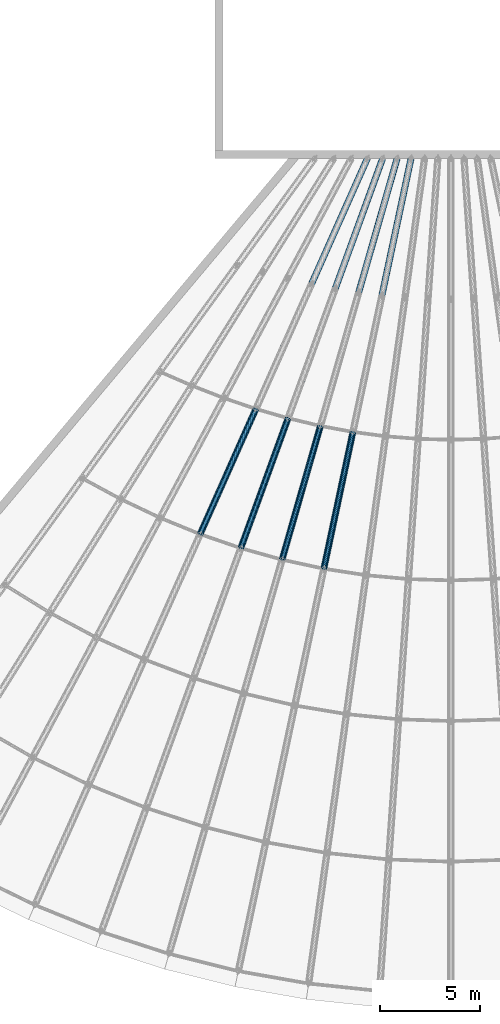
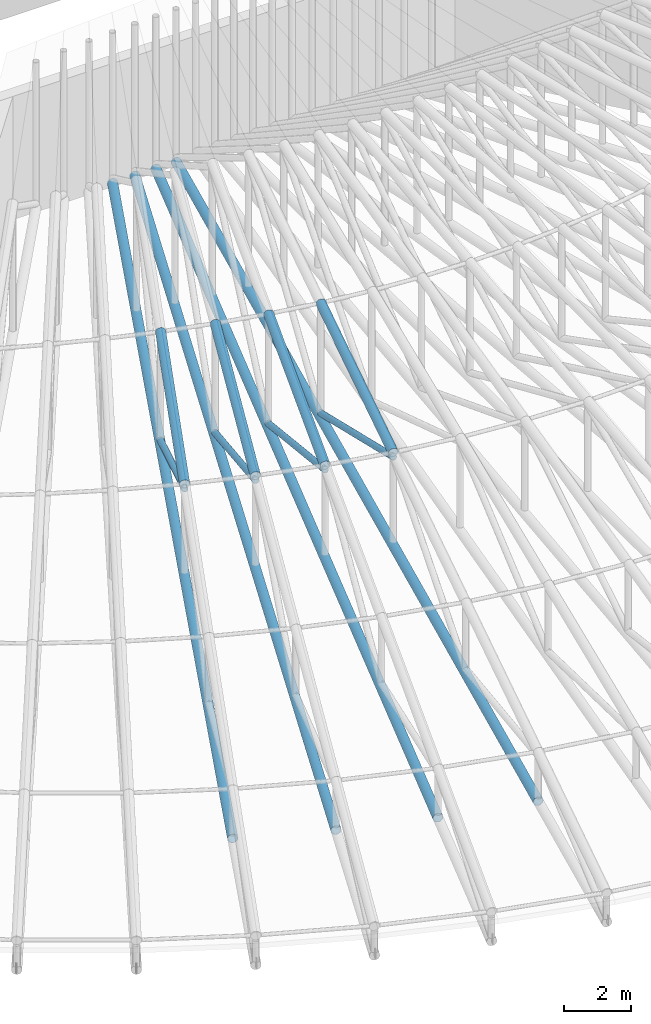
# One storey, part 31 of 163: 12 members.
"""IFC4 building model written with IfcOpenShell, lengths in metres."""

from ifc_helpers import new_model, si_unit, direction, frame, origin, origin_2d, place, context, subcontext, project, spatial, hollow_circle, extrude, material, material_profile, profile_set, type_object, element, save


model = new_model("IFC4")

# Units and contexts
model_context = context("Model", 3, precision=1e-05, world=origin(), true_north=direction((0.0, 1.0)))
body_context = subcontext(model_context, "Body", "Model", "MODEL_VIEW")
ifc_project = project(units=[si_unit("LENGTHUNIT", "METRE"), si_unit("AREAUNIT", "SQUARE_METRE"), si_unit("VOLUMEUNIT", "CUBIC_METRE"), si_unit("PLANEANGLEUNIT", "RADIAN"), si_unit("MASSUNIT", "GRAM", prefix="KILO")], contexts=[model_context])

# Site, building, storey
site_placement = place(None, origin())
site = spatial("IfcSite", under=ifc_project, at=site_placement, CompositionType="ELEMENT")
building_placement = place(site_placement, origin())
building = spatial("IfcBuilding", under=site, at=building_placement, Name="Rain Tree Exposition and Congress Centre", CompositionType="ELEMENT")
storey_placement = place(building_placement, frame((0.0, 0.0, 10.5)))
storey = spatial("IfcBuildingStorey", under=building, at=storey_placement, Name="L02", CompositionType="ELEMENT", Elevation=10.5)

# Members
ifc_material_1 = material(Name="Steel S355J2H", Category="steel")
ifc_material_profile_1 = material_profile(ifc_material_1, hollow_circle(Radius=0.108154296875, WallThickness=0.008056640625, at=origin_2d()), Name="CHS 216x8")
ifc_profile_set_1 = profile_set([ifc_material_profile_1], Name="Steel S355J2H")
member_type_1 = type_object("IfcMemberType", Name="Steel brace member CHS 216x8", PredefinedType="BRACE", material=ifc_profile_set_1)
member_1_placement = place(storey_placement, frame((189.04345703125, 38.99755859375, 3.35498046875), z_axis=(0.371977625984, 0.835453421073, -0.404537052672), x_axis=(-0.913541476776, 0.406745584131, 0.0)))
element("IfcMember", 1, at=member_1_placement, inside=storey, type_object=member_type_1, Name="TD4-4", PredefinedType="BRACE", context=body_context, shape_type="SweptSolid", body=[
    extrude(hollow_circle(Radius=0.108154296875, WallThickness=0.008056640625, at=origin_2d()), origin(), (0.0, 0.0, 1.0), 7.505859375),
])
member_2_placement = place(storey_placement, frame((191.08056640625, 38.2978515625, 3.367919921875), z_axis=(0.312976929359, 0.859944139343, -0.403164381982), x_axis=(-0.9396986404, 0.342003604118, 0.0)))
element("IfcMember", 2, at=member_2_placement, inside=storey, type_object=member_type_1, Name="TD5-4", PredefinedType="BRACE", context=body_context, shape_type="SweptSolid", body=[
    extrude(hollow_circle(Radius=0.108154296875, WallThickness=0.008056640625, at=origin_2d()), origin(), (0.0, 0.0, 1.0), 7.5634765625),
])
member_3_placement = place(storey_placement, frame((193.14697265625, 37.720703125, 3.3779296875), z_axis=(0.252376552036, 0.880125120055, -0.402101789391), x_axis=(-0.961260325696, 0.275642134374, 0.0)))
element("IfcMember", 3, at=member_3_placement, inside=storey, type_object=member_type_1, Name="TD6-4", PredefinedType="BRACE", context=body_context, shape_type="SweptSolid", body=[
    extrude(hollow_circle(Radius=0.108154296875, WallThickness=0.008056640625, at=origin_2d()), origin(), (0.0, 0.0, 1.0), 7.6083984375),
])
member_4_placement = place(storey_placement, frame((195.23779296875, 37.268798828125, 3.385498046875), z_axis=(0.190461609505, 0.895923488522, -0.401304719658), x_axis=(-0.978141562567, 0.207940096132, 0.0)))
element("IfcMember", 4, at=member_4_placement, inside=storey, type_object=member_type_1, Name="TD7-4", PredefinedType="BRACE", context=body_context, shape_type="SweptSolid", body=[
    extrude(hollow_circle(Radius=0.108154296875, WallThickness=0.008056640625, at=origin_2d()), origin(), (0.0, 0.0, 1.0), 7.642333984375),
])
ifc_material_2 = material(Name="Steel S355J2H", Category="steel")
ifc_material_profile_2 = material_profile(ifc_material_2, hollow_circle(Radius=0.1591796875, WallThickness=0.010009765625, at=origin_2d()), Name="CHS 318x10")
ifc_profile_set_2 = profile_set([ifc_material_profile_2], Name="Steel S355J2H")
member_type_2 = type_object("IfcMemberType", Name="Steel chord member CHS 318x10", PredefinedType="CHORD", material=ifc_profile_set_2)
member_5_placement = place(storey_placement, frame((183.45947265625, 26.455810546875, 0.1591796875), z_axis=(0.406734361251, 0.913546473573, 0.0), x_axis=(-0.913546473573, 0.406734361251, 0.0)))
element("IfcMember", 5, at=member_5_placement, inside=storey, type_object=member_type_2, Name="TC4-2", PredefinedType="CHORD", context=body_context, shape_type="SweptSolid", body=[
    extrude(hollow_circle(Radius=0.1591796875, WallThickness=0.010009765625, at=origin_2d()), origin(), (0.0, 0.0, 1.0), 34.321533203125),
])
member_6_placement = place(storey_placement, frame((189.04345703125, 38.99755859375, 3.51611328125), z_axis=(0.404197475358, 0.907818481513, 0.111758693344), x_axis=(-0.913541476776, 0.406745584131, 0.0)))
element("IfcMember", 6, at=member_6_placement, inside=storey, type_object=member_type_2, Name="TT4-4", PredefinedType="CHORD", context=body_context, shape_type="SweptSolid", body=[
    extrude(hollow_circle(Radius=0.1591796875, WallThickness=0.010009765625, at=origin_2d()), origin(), (0.0, 0.0, 1.0), 6.907470703125),
])
member_7_placement = place(storey_placement, frame((186.345947265625, 25.289794921875, 0.1591796875), z_axis=(0.342020597353, 0.939692455533, 0.0), x_axis=(-0.939692455533, 0.342020597353, 0.0)))
element("IfcMember", 7, at=member_7_placement, inside=storey, type_object=member_type_2, Name="TC5-2", PredefinedType="CHORD", context=body_context, shape_type="SweptSolid", body=[
    extrude(hollow_circle(Radius=0.1591796875, WallThickness=0.010009765625, at=origin_2d()), origin(), (0.0, 0.0, 1.0), 34.607421875),
])
member_8_placement = place(storey_placement, frame((191.08056640625, 38.2978515625, 3.52880859375), z_axis=(0.339858945896, 0.933805917659, 0.111814154023), x_axis=(-0.9396986404, 0.342003604118, 0.0)))
element("IfcMember", 8, at=member_8_placement, inside=storey, type_object=member_type_2, Name="TT5-4", PredefinedType="CHORD", context=body_context, shape_type="SweptSolid", body=[
    extrude(hollow_circle(Radius=0.1591796875, WallThickness=0.010009765625, at=origin_2d()), origin(), (0.0, 0.0, 1.0), 6.965087890625),
])
member_9_placement = place(storey_placement, frame((189.306640625, 24.32763671875, 0.1591796875), z_axis=(0.275634705683, 0.961262455848, 0.0), x_axis=(-0.961262455848, 0.275634705683, 0.0)))
element("IfcMember", 9, at=member_9_placement, inside=storey, type_object=member_type_2, Name="TC6-2", PredefinedType="CHORD", context=body_context, shape_type="SweptSolid", body=[
    extrude(hollow_circle(Radius=0.1591796875, WallThickness=0.010009765625, at=origin_2d()), origin(), (0.0, 0.0, 1.0), 34.831787109375),
])
member_10_placement = place(storey_placement, frame((193.14697265625, 37.720703125, 3.538818359375), z_axis=(0.273914225811, 0.955234505473, 0.111794617273), x_axis=(-0.961260325696, 0.275642134374, 0.0)))
element("IfcMember", 10, at=member_10_placement, inside=storey, type_object=member_type_2, Name="TT6-4", PredefinedType="CHORD", context=body_context, shape_type="SweptSolid", body=[
    extrude(hollow_circle(Radius=0.1591796875, WallThickness=0.010009765625, at=origin_2d()), origin(), (0.0, 0.0, 1.0), 7.010009765625),
])
member_11_placement = place(storey_placement, frame((192.3271484375, 23.57470703125, 0.1591796875), z_axis=(0.207909144531, 0.97814814196, 0.0), x_axis=(-0.97814814196, 0.207909144531, 0.0)))
element("IfcMember", 11, at=member_11_placement, inside=storey, type_object=member_type_2, Name="TC7-2", PredefinedType="CHORD", context=body_context, shape_type="SweptSolid", body=[
    extrude(hollow_circle(Radius=0.1591796875, WallThickness=0.010009765625, at=origin_2d()), origin(), (0.0, 0.0, 1.0), 35.000244140625),
])
member_12_placement = place(storey_placement, frame((195.23779296875, 37.268798828125, 3.54638671875), z_axis=(0.206636239815, 0.97200827669, 0.111809545395), x_axis=(-0.978141562567, 0.207940096132, 0.0)))
element("IfcMember", 12, at=member_12_placement, inside=storey, type_object=member_type_2, Name="TT7-4", PredefinedType="CHORD", context=body_context, shape_type="SweptSolid", body=[
    extrude(hollow_circle(Radius=0.1591796875, WallThickness=0.010009765625, at=origin_2d()), origin(), (0.0, 0.0, 1.0), 7.044189453125),
])

save(model, "model.ifc")
